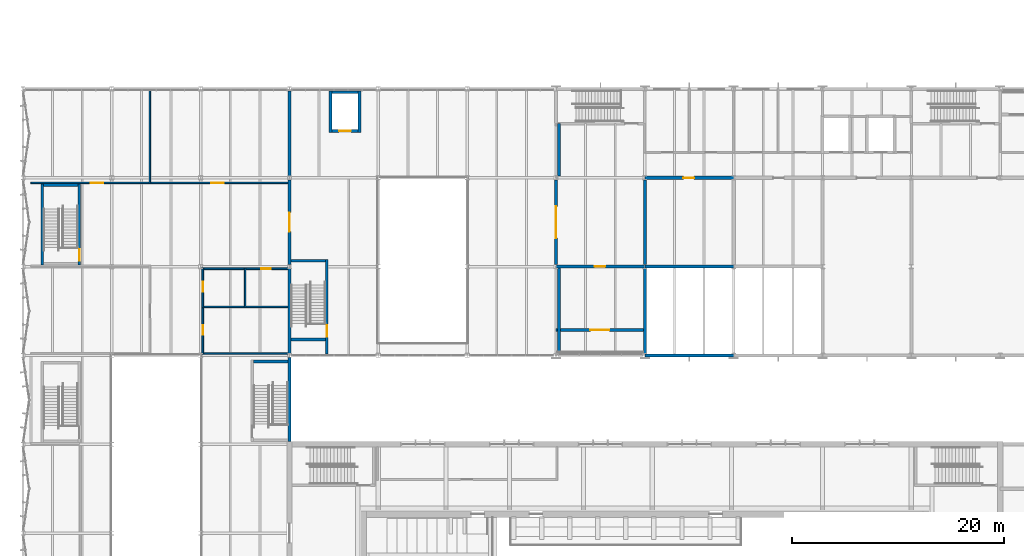
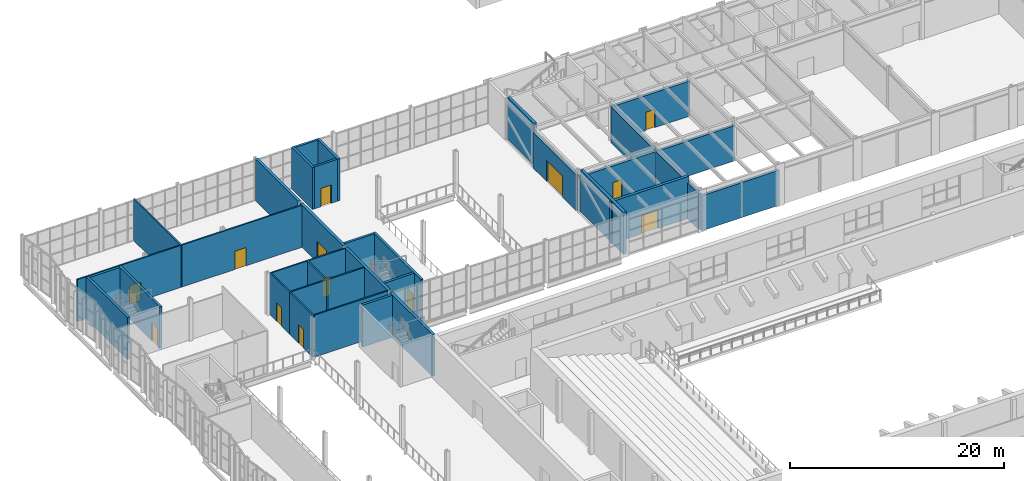
# One storey, part 79 of 127: 35 walls, 13 doors, 13 openings.
"""IFC4 building model written with IfcOpenShell, lengths in metres."""

from ifc_helpers import new_model, si_unit, direction, frame, frame_2d, origin, place, context, subcontext, project, spatial, rectangle, extrude, material, layer, layer_set, type_object, element, fill, save


model = new_model("IFC4")

# Units and contexts
model_context = context("Model", 3, precision=1e-05, world=origin(), true_north=direction((0.0, 1.0)))
body_context = subcontext(model_context, "Body", "Model", "MODEL_VIEW")
ifc_project = project(units=[si_unit("LENGTHUNIT", "METRE"), si_unit("AREAUNIT", "SQUARE_METRE"), si_unit("VOLUMEUNIT", "CUBIC_METRE"), si_unit("PLANEANGLEUNIT", "RADIAN"), si_unit("MASSUNIT", "GRAM", prefix="KILO")], contexts=[model_context])

# Site, building, storey
site_placement = place(None, origin())
site = spatial("IfcSite", under=ifc_project, at=site_placement, CompositionType="ELEMENT")
building_placement = place(site_placement, origin())
building = spatial("IfcBuilding", under=site, at=building_placement, Name="Ljudholm Concert House", CompositionType="ELEMENT")
storey_placement = place(building_placement, frame((0.0, 0.0, 5.39990234375)))
storey = spatial("IfcBuildingStorey", under=building, at=storey_placement, Name="L01", CompositionType="ELEMENT", Elevation=5.39990234375)

# Walls
ifc_material_1 = material(Name="Double gypsum board on staggered studs")
ifc_layer_1 = layer(ifc_material_1, 0.300048828125)
ifc_layer_set_1 = layer_set([ifc_layer_1], Name="Double gypsum board on staggered studs")
wall_type_1 = type_object("IfcWallType", Name="ACOUSTIC PARTITION 300", PredefinedType="PARTITIONING", material=ifc_layer_set_1)
wall_1_placement = place(storey_placement, frame((62.800048828125, 113.38671875, 0.0), z_axis=(0.0, 0.0, 1.0), x_axis=(0.0, 1.0, 0.0)))
element("IfcWall", 1, at=wall_1_placement, inside=storey, type_object=wall_type_1, Name="Acoustic partition", PredefinedType="PARTITIONING", context=body_context, shape_type="SweptSolid", body=[
    extrude(rectangle(XDim=8.026611328125, YDim=0.300048828125, at=frame_2d((4.01318359375, 0.0))), origin(), (0.0, 0.0, 1.0), 4.086669921875),
])
wall_2_placement = place(storey_placement, frame((62.800048828125, 104.986572265625, 0.0), z_axis=(0.0, 0.0, 1.0), x_axis=(0.0, 1.0, 0.0)))
element("IfcWall", 2, at=wall_2_placement, inside=storey, type_object=wall_type_1, Name="Acoustic partition", PredefinedType="PARTITIONING", context=body_context, shape_type="SweptSolid", body=[
    extrude(rectangle(XDim=8.02685546875, YDim=0.300048828125, at=frame_2d((4.013427734375, 0.0))), origin(), (0.0, 0.0, 1.0), 4.086669921875),
])

# Wall, opening, door
wall_3_placement = place(storey_placement, frame((54.408203125, 113.199951171875, 0.0), z_axis=(0.0, 0.0, 1.0), x_axis=(1.0, 0.0, 0.0)))
wall_3 = element("IfcWall", 3, at=wall_3_placement, inside=storey, type_object=wall_type_1, Name="Acoustic partition", PredefinedType="PARTITIONING", context=body_context, shape_type="SweptSolid", body=[
    extrude(rectangle(XDim=8.39990234375, YDim=0.300048828125, at=frame_2d((4.199951171875, 0.0))), origin(), (0.0, 0.0, 1.0), 4.008056640625),
])
opening_1_placement = place(wall_3_placement, frame((3.641845703125, 0.0, 0.0)))
opening_1 = element("IfcOpeningElement", 4, at=opening_1_placement, cuts=wall_3, Name="Opening D-R01-008", PredefinedType="OPENING", context=body_context, shape_type="SweptSolid", body=[
    extrude(rectangle(XDim=1.0, YDim=2.10009765625, at=frame_2d((0.5, 1.050048828125))), frame((0.0, 0.159912109375, 0.0), z_axis=(0.0, -1.0, 0.0), x_axis=(1.0, 0.0, 0.0)), (0.0, 0.0, 1.0), 0.320068359375),
])
ifc_material_2 = material(Name="Hollow metal door in steel frame", Category="steel")
door_type_1 = type_object("IfcDoorType", Name="SWING DOOR 1000x2100", OperationType="SINGLE_SWING_LEFT", PredefinedType="DOOR", material=ifc_material_2)
door_1_placement = place(opening_1_placement, frame((1.0, 0.0, 0.0), z_axis=(0.0, 0.0, 1.0), x_axis=(-1.0, 0.0, 0.0)))
door_1 = element("IfcDoor", 5, at=door_1_placement, inside=storey, type_object=door_type_1, Name="Door", OperationType="SINGLE_SWING_RIGHT", OverallHeight=2.10009765625, OverallWidth=1.0, PredefinedType="DOOR", context=body_context, shape_type="SweptSolid", body=[
    extrude(rectangle(XDim=1.0, YDim=2.10009765625, at=frame_2d((0.5, 1.050048828125))), frame((0.0, 0.02490234375, 0.0), z_axis=(0.0, -1.0, 0.0), x_axis=(1.0, 0.0, 0.0)), (0.0, 0.0, 1.0), 0.050048828125),
])
fill(opening_1, door_1)

# Wall
wall_4_placement = place(storey_placement, frame((62.791748046875, 113.199951171875, 0.0), z_axis=(0.0, 0.0, 1.0), x_axis=(1.0, 0.0, 0.0)))
element("IfcWall", 6, at=wall_4_placement, inside=storey, type_object=wall_type_1, Name="Acoustic partition", PredefinedType="PARTITIONING", context=body_context, shape_type="SweptSolid", body=[
    extrude(rectangle(XDim=8.41650390625, YDim=0.300048828125, at=frame_2d((4.208251953125, 0.0))), origin(), (0.0, 0.0, 1.0), 4.008056640625),
])

# Wall, opening, door
wall_5_placement = place(storey_placement, frame((62.80810546875, 121.60009765625, 0.0), z_axis=(0.0, 0.0, 1.0), x_axis=(1.0, 0.0, 0.0)))
wall_5 = element("IfcWall", 7, at=wall_5_placement, inside=storey, type_object=wall_type_1, Name="Acoustic partition", PredefinedType="PARTITIONING", context=body_context, shape_type="SweptSolid", body=[
    extrude(rectangle(XDim=8.400146484375, YDim=0.300048828125, at=frame_2d((4.2001953125, 0.0))), origin(), (0.0, 0.0, 1.0), 4.008056640625),
])
opening_2_placement = place(wall_5_placement, frame((3.641845703125, 0.0, 0.0)))
opening_2 = element("IfcOpeningElement", 8, at=opening_2_placement, cuts=wall_5, Name="Opening D-R01-009", PredefinedType="OPENING", context=body_context, shape_type="SweptSolid", body=[
    extrude(rectangle(XDim=1.0, YDim=2.10009765625, at=frame_2d((0.5, 1.050048828125))), frame((0.0, 0.159912109375, 0.0), z_axis=(0.0, -1.0, 0.0), x_axis=(1.0, 0.0, 0.0)), (0.0, 0.0, 1.0), 0.320068359375),
])
door_2_placement = place(opening_2_placement, frame((1.0, 0.0, 0.0), z_axis=(0.0, 0.0, 1.0), x_axis=(-1.0, 0.0, 0.0)))
door_2 = element("IfcDoor", 9, at=door_2_placement, inside=storey, type_object=door_type_1, Name="Door", OperationType="SINGLE_SWING_RIGHT", OverallHeight=2.10009765625, OverallWidth=1.0, PredefinedType="DOOR", context=body_context, shape_type="SweptSolid", body=[
    extrude(rectangle(XDim=1.0, YDim=2.10009765625, at=frame_2d((0.5, 1.050048828125))), frame((0.0, 0.02490234375, 0.0), z_axis=(0.0, -1.0, 0.0), x_axis=(1.0, 0.0, 0.0)), (0.0, 0.0, 1.0), 0.050048828125),
])
fill(opening_2, door_2)

ifc_material_3 = material(Name="Gypsum board on steel studs", Category="steel")
ifc_layer_2 = layer(ifc_material_3, 0.14990234375)
ifc_layer_set_2 = layer_set([ifc_layer_2], Name="Gypsum board on steel studs")
wall_type_2 = type_object("IfcWallType", Name="GYPSUM PARTITION 150", PredefinedType="PARTITIONING", material=ifc_layer_set_2)
wall_6_placement = place(storey_placement, frame((21.0, 104.925048828125, 0.0), z_axis=(0.0, 0.0, 1.0), x_axis=(0.0, 1.0, 0.0)))
wall_6 = element("IfcWall", 10, at=wall_6_placement, inside=storey, type_object=wall_type_2, Name="Room wall", PredefinedType="PARTITIONING", context=body_context, shape_type="SweptSolid", body=[
    extrude(rectangle(XDim=4.550048828125, YDim=0.14990234375, at=frame_2d((2.27490234375, 0.0))), origin(), (0.0, 0.0, 1.0), 4.800048828125),
])
opening_3_placement = place(wall_6_placement, frame((1.824951171875, 0.0, 0.0)))
opening_3 = element("IfcOpeningElement", 11, at=opening_3_placement, cuts=wall_6, Name="Opening D-S01-014", PredefinedType="OPENING", context=body_context, shape_type="SweptSolid", body=[
    extrude(rectangle(XDim=0.89990234375, YDim=2.10009765625, at=frame_2d((0.449951171875, 1.050048828125))), frame((0.0, 0.0849609375, 0.0), z_axis=(0.0, -1.0, 0.0), x_axis=(1.0, 0.0, 0.0)), (0.0, 0.0, 1.0), 0.169921875),
])
ifc_material_4 = material(Name="Hollow metal door in steel frame", Category="steel")
door_type_2 = type_object("IfcDoorType", Name="SWING DOOR 900x2100", OperationType="SINGLE_SWING_LEFT", PredefinedType="DOOR", material=ifc_material_4)
door_3_placement = place(opening_3_placement, frame((0.89990234375, 0.0, 0.0), z_axis=(0.0, 0.0, 1.0), x_axis=(-1.0, 0.0, 0.0)))
door_3 = element("IfcDoor", 12, at=door_3_placement, inside=storey, type_object=door_type_2, Name="Toilets door", OperationType="SINGLE_SWING_LEFT", OverallHeight=2.10009765625, OverallWidth=0.89990234375, PredefinedType="DOOR", context=body_context, shape_type="SweptSolid", body=[
    extrude(rectangle(XDim=0.89990234375, YDim=2.10009765625, at=frame_2d((0.449951171875, 1.050048828125))), frame((0.0, 0.02490234375, 0.0), z_axis=(0.0, -1.0, 0.0), x_axis=(1.0, 0.0, 0.0)), (0.0, 0.0, 1.0), 0.050048828125),
])
fill(opening_3, door_3)

# Walls
for number, where, z_axis, x_axis, name in (
    (13, (21.074951171875, 105.0, 0.0), (0.0, 0.0, 1.0), (1.0, 0.0, 0.0), "Room wall"),
    (14, (21.074951171875, 109.39990234375, 0.0), (0.0, 0.0, 1.0), (1.0, 0.0, 0.0), "Room wall"),
):
    element("IfcWall", number, at=place(storey_placement, frame(where, z_axis=z_axis, x_axis=x_axis)), inside=storey, type_object=wall_type_2, Name=name, PredefinedType="PARTITIONING", context=body_context, shape_type="SweptSolid", body=[
        extrude(rectangle(XDim=7.97509765625, YDim=0.14990234375, at=frame_2d((3.987548828125, 0.0))), origin(), (0.0, 0.0, 1.0), 4.800048828125),
    ])

# Wall, opening, door
wall_7_placement = place(storey_placement, frame((21.0, 109.324951171875, 0.0), z_axis=(0.0, 0.0, 1.0), x_axis=(0.0, 1.0, 0.0)))
wall_7 = element("IfcWall", 15, at=wall_7_placement, inside=storey, type_object=wall_type_2, Name="Room wall", PredefinedType="PARTITIONING", context=body_context, shape_type="SweptSolid", body=[
    extrude(rectangle(XDim=3.75, YDim=0.14990234375, at=frame_2d((1.875, 0.0))), origin(), (0.0, 0.0, 1.0), 4.800048828125),
])
opening_4_placement = place(wall_7_placement, frame((1.5, 0.0, 0.0)))
opening_4 = element("IfcOpeningElement", 16, at=opening_4_placement, cuts=wall_7, Name="Opening D-S01-015", PredefinedType="OPENING", context=body_context, shape_type="SweptSolid", body=[
    extrude(rectangle(XDim=0.949951171875, YDim=2.10009765625, at=frame_2d((0.47509765625, 1.050048828125))), frame((0.0, 0.0849609375, 0.0), z_axis=(0.0, -1.0, 0.0), x_axis=(1.0, 0.0, 0.0)), (0.0, 0.0, 1.0), 0.169921875),
])
ifc_material_5 = material(Name="Hollow metal door in steel frame", Category="steel")
door_type_3 = type_object("IfcDoorType", Name="SWING DOOR 950x2100", OperationType="SINGLE_SWING_LEFT", PredefinedType="DOOR", material=ifc_material_5)
door_4_placement = place(opening_4_placement, frame((0.949951171875, 0.0, 0.0), z_axis=(0.0, 0.0, 1.0), x_axis=(-1.0, 0.0, 0.0)))
door_4 = element("IfcDoor", 17, at=door_4_placement, inside=storey, type_object=door_type_3, Name="Accessible WC door", OperationType="SINGLE_SWING_LEFT", OverallHeight=2.10009765625, OverallWidth=0.949951171875, PredefinedType="DOOR", context=body_context, shape_type="SweptSolid", body=[
    extrude(rectangle(XDim=0.949951171875, YDim=2.10009765625, at=frame_2d((0.47509765625, 1.050048828125))), frame((0.0, 0.02490234375, 0.0), z_axis=(0.0, -1.0, 0.0), x_axis=(1.0, 0.0, 0.0)), (0.0, 0.0, 1.0), 0.050048828125),
])
fill(opening_4, door_4)

# Walls
wall_8_placement = place(storey_placement, frame((25.0, 109.324951171875, 0.0), z_axis=(0.0, 0.0, 1.0), x_axis=(0.0, 1.0, 0.0)))
element("IfcWall", 18, at=wall_8_placement, inside=storey, type_object=wall_type_2, Name="Room wall", PredefinedType="PARTITIONING", context=body_context, shape_type="SweptSolid", body=[
    extrude(rectangle(XDim=3.75, YDim=0.14990234375, at=frame_2d((1.875, 0.0))), origin(), (0.0, 0.0, 1.0), 4.800048828125),
])
wall_9_placement = place(storey_placement, frame((21.074951171875, 113.0, 0.0), z_axis=(0.0, 0.0, 1.0), x_axis=(1.0, 0.0, 0.0)))
element("IfcWall", 19, at=wall_9_placement, inside=storey, type_object=wall_type_2, Name="Room wall", PredefinedType="PARTITIONING", context=body_context, shape_type="SweptSolid", body=[
    extrude(rectangle(XDim=3.85009765625, YDim=0.14990234375, at=frame_2d((1.925048828125, 0.0))), origin(), (0.0, 0.0, 1.0), 4.800048828125),
])

# Wall, opening, door
wall_10_placement = place(storey_placement, frame((25.074951171875, 113.0, 0.0), z_axis=(0.0, 0.0, 1.0), x_axis=(1.0, 0.0, 0.0)))
wall_10 = element("IfcWall", 20, at=wall_10_placement, inside=storey, type_object=wall_type_2, Name="Room wall", PredefinedType="PARTITIONING", context=body_context, shape_type="SweptSolid", body=[
    extrude(rectangle(XDim=3.97509765625, YDim=0.14990234375, at=frame_2d((1.987548828125, 0.0))), origin(), (0.0, 0.0, 1.0), 4.800048828125),
])
opening_5_placement = place(wall_10_placement, frame((1.47509765625, 0.0, 0.0)))
opening_5 = element("IfcOpeningElement", 21, at=opening_5_placement, cuts=wall_10, Name="Opening D-S01-016", PredefinedType="OPENING", context=body_context, shape_type="SweptSolid", body=[
    extrude(rectangle(XDim=0.89990234375, YDim=2.10009765625, at=frame_2d((0.449951171875, 1.050048828125))), frame((0.0, 0.0849609375, 0.0), z_axis=(0.0, -1.0, 0.0), x_axis=(1.0, 0.0, 0.0)), (0.0, 0.0, 1.0), 0.169921875),
])
door_5_placement = place(opening_5_placement, frame((0.89990234375, 0.0, 0.0), z_axis=(0.0, 0.0, 1.0), x_axis=(-1.0, 0.0, 0.0)))
door_5 = element("IfcDoor", 22, at=door_5_placement, inside=storey, type_object=door_type_2, Name="Cleaner's Store door", OperationType="SINGLE_SWING_RIGHT", OverallHeight=2.10009765625, OverallWidth=0.89990234375, PredefinedType="DOOR", context=body_context, shape_type="SweptSolid", body=[
    extrude(rectangle(XDim=0.89990234375, YDim=2.10009765625, at=frame_2d((0.449951171875, 1.050048828125))), frame((0.0, 0.02490234375, 0.0), z_axis=(0.0, -1.0, 0.0), x_axis=(1.0, 0.0, 0.0)), (0.0, 0.0, 1.0), 0.050048828125),
])
fill(opening_5, door_5)

# Wall
wall_11_placement = place(storey_placement, frame((16.0, 121.050048828125, 0.0), z_axis=(0.0, 0.0, 1.0), x_axis=(0.0, 1.0, 0.0)))
element("IfcWall", 23, at=wall_11_placement, inside=storey, type_object=wall_type_2, Name="Room wall", PredefinedType="PARTITIONING", context=body_context, shape_type="SweptSolid", body=[
    extrude(rectangle(XDim=8.824951171875, YDim=0.14990234375, at=frame_2d((4.41259765625, 0.0))), origin(), (0.0, 0.0, 1.0), 4.800048828125),
])

# Wall, opening, door
wall_12_placement = place(storey_placement, frame((4.75, 121.125, 0.0), z_axis=(0.0, 0.0, 1.0), x_axis=(1.0, 0.0, 0.0)))
wall_12 = element("IfcWall", 24, at=wall_12_placement, inside=storey, type_object=wall_type_2, Name="Room wall", PredefinedType="PARTITIONING", context=body_context, shape_type="SweptSolid", body=[
    extrude(rectangle(XDim=11.175048828125, YDim=0.14990234375, at=frame_2d((5.58740234375, 0.0))), origin(), (0.0, 0.0, 1.0), 4.800048828125),
])
opening_6_placement = place(wall_12_placement, frame((5.64990234375, 0.0, 0.0)))
opening_6 = element("IfcOpeningElement", 25, at=opening_6_placement, cuts=wall_12, Name="Opening D-S01-017", PredefinedType="OPENING", context=body_context, shape_type="SweptSolid", body=[
    extrude(rectangle(XDim=1.199951171875, YDim=2.10009765625, at=frame_2d((0.60009765625, 1.050048828125))), frame((0.0, 0.0849609375, 0.0), z_axis=(0.0, -1.0, 0.0), x_axis=(1.0, 0.0, 0.0)), (0.0, 0.0, 1.0), 0.169921875),
])
ifc_material_6 = material(Name="Hollow metal door in steel frame", Category="steel")
door_type_4 = type_object("IfcDoorType", Name="SWING DOOR 1200x2100", OperationType="SINGLE_SWING_LEFT", PredefinedType="DOOR", material=ifc_material_6)
door_6_placement = place(opening_6_placement, frame((1.199951171875, 0.0, 0.0), z_axis=(0.0, 0.0, 1.0), x_axis=(-1.0, 0.0, 0.0)))
door_6 = element("IfcDoor", 26, at=door_6_placement, inside=storey, type_object=door_type_4, Name="Foyer Bar door", OperationType="SINGLE_SWING_RIGHT", OverallHeight=2.10009765625, OverallWidth=1.199951171875, PredefinedType="DOOR", context=body_context, shape_type="SweptSolid", body=[
    extrude(rectangle(XDim=1.199951171875, YDim=2.10009765625, at=frame_2d((0.60009765625, 1.050048828125))), frame((0.0, 0.02490234375, 0.0), z_axis=(0.0, -1.0, 0.0), x_axis=(1.0, 0.0, 0.0)), (0.0, 0.0, 1.0), 0.050048828125),
])
fill(opening_6, door_6)

wall_13_placement = place(storey_placement, frame((16.074951171875, 121.125, 0.0), z_axis=(0.0, 0.0, 1.0), x_axis=(1.0, 0.0, 0.0)))
wall_13 = element("IfcWall", 27, at=wall_13_placement, inside=storey, type_object=wall_type_2, Name="Room wall", PredefinedType="PARTITIONING", context=body_context, shape_type="SweptSolid", body=[
    extrude(rectangle(XDim=12.97509765625, YDim=0.14990234375, at=frame_2d((6.487548828125, 0.0))), origin(), (0.0, 0.0, 1.0), 4.800048828125),
])
opening_7_placement = place(wall_13_placement, frame((5.72509765625, 0.0, 0.0)))
opening_7 = element("IfcOpeningElement", 28, at=opening_7_placement, cuts=wall_13, Name="Opening D-S01-018", PredefinedType="OPENING", context=body_context, shape_type="SweptSolid", body=[
    extrude(rectangle(XDim=1.199951171875, YDim=2.10009765625, at=frame_2d((0.60009765625, 1.050048828125))), frame((0.0, 0.0849609375, 0.0), z_axis=(0.0, -1.0, 0.0), x_axis=(1.0, 0.0, 0.0)), (0.0, 0.0, 1.0), 0.169921875),
])
door_7_placement = place(opening_7_placement, origin())
door_7 = element("IfcDoor", 29, at=door_7_placement, inside=storey, type_object=door_type_4, Name="Community Room door", OperationType="SINGLE_SWING_LEFT", OverallHeight=2.10009765625, OverallWidth=1.199951171875, PredefinedType="DOOR", context=body_context, shape_type="SweptSolid", body=[
    extrude(rectangle(XDim=1.199951171875, YDim=2.10009765625, at=frame_2d((0.60009765625, 1.050048828125))), frame((0.0, 0.02490234375, 0.0), z_axis=(0.0, -1.0, 0.0), x_axis=(1.0, 0.0, 0.0)), (0.0, 0.0, 1.0), 0.050048828125),
])
fill(opening_7, door_7)

# Wall
ifc_material_7 = material(Name="Concrete masonry unit f'm 13.8 MPa", Category="masonry")
ifc_layer_3 = layer(ifc_material_7, 0.300048828125)
ifc_layer_set_3 = layer_set([ifc_layer_3], Name="Concrete masonry unit f'm 13.8 MPa")
wall_type_3 = type_object("IfcWallType", Name="MASONRY WALL 300", PredefinedType="SOLIDWALL", material=ifc_layer_set_3)
wall_14_placement = place(storey_placement, frame((54.6796875, 104.986572265625, 0.0), z_axis=(0.0, 0.0, 1.0), x_axis=(0.0, 1.0, 0.0)))
element("IfcWall", 30, at=wall_14_placement, inside=storey, type_object=wall_type_3, Name="Separation wall (braced bay)", PredefinedType="SOLIDWALL", context=body_context, shape_type="SweptSolid", body=[
    extrude(rectangle(XDim=8.0634765625, YDim=0.300048828125, at=frame_2d((4.03173828125, 0.0))), origin(), (0.0, 0.0, 1.0), 4.800048828125),
])

# Wall, opening, door
wall_15_placement = place(storey_placement, frame((54.39990234375, 113.38671875, 0.0), z_axis=(0.0, 0.0, 1.0), x_axis=(0.0, 1.0, 0.0)))
wall_15 = element("IfcWall", 31, at=wall_15_placement, inside=storey, type_object=wall_type_3, Name="Separation wall", PredefinedType="SOLIDWALL", context=body_context, shape_type="SweptSolid", body=[
    extrude(rectangle(XDim=8.026611328125, YDim=0.300048828125, at=frame_2d((4.01318359375, 0.0))), origin(), (0.0, 0.0, 1.0), 4.086669921875),
])
opening_8_placement = place(wall_15_placement, frame((2.513427734375, 0.0, 0.0)))
opening_8 = element("IfcOpeningElement", 32, at=opening_8_placement, cuts=wall_15, Name="Opening D-R01-023", PredefinedType="OPENING", context=body_context, shape_type="SweptSolid", body=[
    extrude(rectangle(XDim=3.0, YDim=2.39990234375, at=frame_2d((1.5, 1.199951171875))), frame((0.0, 0.159912109375, 0.0), z_axis=(0.0, -1.0, 0.0), x_axis=(1.0, 0.0, 0.0)), (0.0, 0.0, 1.0), 0.320068359375),
])
ifc_material_8 = material(Name="Hollow metal door in steel frame", Category="steel")
door_type_5 = type_object("IfcDoorType", Name="DOUBLE DOOR 3000x2400", OperationType="DOUBLE_DOOR_SINGLE_SWING", PredefinedType="DOOR", material=ifc_material_8)
door_8_placement = place(opening_8_placement, frame((3.0, 0.0, 0.0), z_axis=(0.0, 0.0, 1.0), x_axis=(-1.0, 0.0, 0.0)))
door_8 = element("IfcDoor", 33, at=door_8_placement, inside=storey, type_object=door_type_5, Name="Door to the winter garden", OperationType="DOUBLE_DOOR_SINGLE_SWING", OverallHeight=2.39990234375, OverallWidth=3.0, PredefinedType="DOOR", context=body_context, shape_type="SweptSolid", body=[
    extrude(rectangle(XDim=3.0, YDim=2.39990234375, at=frame_2d((1.5, 1.199951171875))), frame((0.0, 0.02490234375, 0.0), z_axis=(0.0, -1.0, 0.0), x_axis=(1.0, 0.0, 0.0)), (0.0, 0.0, 1.0), 0.050048828125),
])
fill(opening_8, door_8)

# Walls
wall_16_placement = place(storey_placement, frame((54.6796875, 121.78662109375, 0.0), z_axis=(0.0, 0.0, 1.0), x_axis=(0.0, 1.0, 0.0)))
element("IfcWall", 34, at=wall_16_placement, inside=storey, type_object=wall_type_3, Name="Separation wall (braced bay)", PredefinedType="SOLIDWALL", context=body_context, shape_type="SweptSolid", body=[
    extrude(rectangle(XDim=4.9384765625, YDim=0.300048828125, at=frame_2d((2.46923828125, 0.0))), origin(), (0.0, 0.0, 1.0), 4.800048828125),
])
ifc_material_9 = material(Name="Precast concrete 5,000 psi", Category="concrete")
ifc_layer_4 = layer(ifc_material_9, 0.300048828125)
ifc_layer_set_4 = layer_set([ifc_layer_4], Name="Precast concrete 5,000 psi")
wall_type_4 = type_object("IfcWallType", Name="PRECAST PANEL WALL 300", PredefinedType="SOLIDWALL", material=ifc_layer_set_4)
wall_17_placement = place(storey_placement, frame((62.80810546875, 104.800048828125, 0.0), z_axis=(0.0, 0.0, 1.0), x_axis=(1.0, 0.0, 0.0)))
element("IfcWall", 35, at=wall_17_placement, inside=storey, type_object=wall_type_4, Name="Facade wall", PredefinedType="SOLIDWALL", context=body_context, shape_type="SweptSolid", body=[
    extrude(rectangle(XDim=8.400146484375, YDim=0.300048828125, at=frame_2d((4.2001953125, 0.0))), origin(), (0.0, 0.0, 1.0), 4.008056640625),
])

# Wall, opening, door
wall_18_placement = place(storey_placement, frame((54.39990234375, 107.199951171875, 0.0), z_axis=(0.0, 0.0, 1.0), x_axis=(1.0, 0.0, 0.0)))
wall_18 = element("IfcWall", 36, at=wall_18_placement, inside=storey, type_object=wall_type_4, Name="Loggia wall", PredefinedType="SOLIDWALL", context=body_context, shape_type="SweptSolid", body=[
    extrude(rectangle(XDim=8.400146484375, YDim=0.300048828125, at=frame_2d((4.2001953125, 0.0))), origin(), (0.0, 0.0, 1.0), 4.800048828125),
])
opening_9_placement = place(wall_18_placement, frame((3.25, 0.0, 0.0)))
opening_9 = element("IfcOpeningElement", 37, at=opening_9_placement, cuts=wall_18, Name="Opening D-R01-020", PredefinedType="OPENING", context=body_context, shape_type="SweptSolid", body=[
    extrude(rectangle(XDim=1.800048828125, YDim=2.10009765625, at=frame_2d((0.89990234375, 1.050048828125))), frame((0.0, 0.159912109375, 0.0), z_axis=(0.0, -1.0, 0.0), x_axis=(1.0, 0.0, 0.0)), (0.0, 0.0, 1.0), 0.320068359375),
])
ifc_material_10 = material(Name="Hollow metal door in steel frame", Category="steel")
door_type_6 = type_object("IfcDoorType", Name="DOUBLE DOOR 1800x2100 EXTERNAL", OperationType="DOUBLE_DOOR_SINGLE_SWING", PredefinedType="DOOR", material=ifc_material_10)
door_9_placement = place(opening_9_placement, frame((1.800048828125, 0.0, 0.0), z_axis=(0.0, 0.0, 1.0), x_axis=(-1.0, 0.0, 0.0)))
door_9 = element("IfcDoor", 38, at=door_9_placement, inside=storey, type_object=door_type_6, Name="Loggia door", OperationType="DOUBLE_DOOR_SINGLE_SWING", OverallHeight=2.10009765625, OverallWidth=1.800048828125, PredefinedType="DOOR", context=body_context, shape_type="SweptSolid", body=[
    extrude(rectangle(XDim=1.800048828125, YDim=2.10009765625, at=frame_2d((0.89990234375, 1.050048828125))), frame((0.0, 0.02490234375, 0.0), z_axis=(0.0, -1.0, 0.0), x_axis=(1.0, 0.0, 0.0)), (0.0, 0.0, 1.0), 0.050048828125),
])
fill(opening_9, door_9)

# Walls
ifc_material_11 = material(Name="Concrete 6,500 psi", Category="concrete")
ifc_layer_5 = layer(ifc_material_11, 0.25)
ifc_layer_set_5 = layer_set([ifc_layer_5], Name="Concrete 6,500 psi")
wall_type_5 = type_object("IfcWallType", Name="RC CORE WALL 250", PredefinedType="SHEAR", material=ifc_layer_set_5)
wall_19_placement = place(storey_placement, frame((25.800048828125, 104.22509765625, 0.0), z_axis=(0.0, 0.0, 1.0), x_axis=(1.0, 0.0, 0.0)))
element("IfcWall", 39, at=wall_19_placement, inside=storey, type_object=wall_type_5, Name="Stair enclosure wall", PredefinedType="SHEAR", context=body_context, shape_type="SweptSolid", body=[
    extrude(rectangle(XDim=3.25, YDim=0.25, at=frame_2d((1.625, 0.0))), origin(), (0.0, 0.0, 1.0), 4.800048828125),
])
wall_20_placement = place(storey_placement, frame((5.824951171875, 113.35009765625, 0.0), z_axis=(0.0, 0.0, 1.0), x_axis=(0.0, 1.0, 0.0)))
element("IfcWall", 40, at=wall_20_placement, inside=storey, type_object=wall_type_5, Name="Stair enclosure wall", PredefinedType="SHEAR", context=body_context, shape_type="SweptSolid", body=[
    extrude(rectangle(XDim=7.699951171875, YDim=0.25, at=frame_2d((3.85009765625, 0.0))), origin(), (0.0, 0.0, 1.0), 4.800048828125),
])

# Wall, opening, door
wall_21_placement = place(storey_placement, frame((9.324951171875, 113.35009765625, 0.0), z_axis=(0.0, 0.0, 1.0), x_axis=(0.0, 1.0, 0.0)))
wall_21 = element("IfcWall", 41, at=wall_21_placement, inside=storey, type_object=wall_type_5, Name="Stair enclosure wall", PredefinedType="SHEAR", context=body_context, shape_type="SweptSolid", body=[
    extrude(rectangle(XDim=7.699951171875, YDim=0.25, at=frame_2d((3.85009765625, 0.0))), origin(), (0.0, 0.0, 1.0), 4.800048828125),
])
opening_10_placement = place(wall_21_placement, frame((0.39990234375, 0.0, 0.0)))
opening_10 = element("IfcOpeningElement", 42, at=opening_10_placement, cuts=wall_21, Name="Opening D-S01-007", PredefinedType="OPENING", context=body_context, shape_type="SweptSolid", body=[
    extrude(rectangle(XDim=1.10009765625, YDim=2.10009765625, at=frame_2d((0.550048828125, 1.050048828125))), frame((0.0, 0.135009765625, 0.0), z_axis=(0.0, -1.0, 0.0), x_axis=(1.0, 0.0, 0.0)), (0.0, 0.0, 1.0), 0.27001953125),
])
ifc_material_12 = material(Name="Hollow metal door in steel frame", Category="steel")
door_type_7 = type_object("IfcDoorType", Name="SWING DOOR 1100x2100", OperationType="SINGLE_SWING_LEFT", PredefinedType="DOOR", material=ifc_material_12)
door_10_placement = place(opening_10_placement, origin())
door_10 = element("IfcDoor", 43, at=door_10_placement, inside=storey, type_object=door_type_7, Name="Stair door", OperationType="SINGLE_SWING_LEFT", OverallHeight=2.10009765625, OverallWidth=1.10009765625, PredefinedType="DOOR", context=body_context, shape_type="SweptSolid", body=[
    extrude(rectangle(XDim=1.10009765625, YDim=2.10009765625, at=frame_2d((0.550048828125, 1.050048828125))), frame((0.0, 0.02490234375, 0.0), z_axis=(0.0, -1.0, 0.0), x_axis=(1.0, 0.0, 0.0)), (0.0, 0.0, 1.0), 0.050048828125),
])
fill(opening_10, door_10)

# Wall
wall_22_placement = place(storey_placement, frame((5.949951171875, 120.925048828125, 0.0), z_axis=(0.0, 0.0, 1.0), x_axis=(1.0, 0.0, 0.0)))
element("IfcWall", 44, at=wall_22_placement, inside=storey, type_object=wall_type_5, Name="Stair enclosure wall", PredefinedType="SHEAR", context=body_context, shape_type="SweptSolid", body=[
    extrude(rectangle(XDim=3.25, YDim=0.25, at=frame_2d((1.625, 0.0))), origin(), (0.0, 0.0, 1.0), 4.800048828125),
])

# Wall, opening, door
wall_23_placement = place(storey_placement, frame((32.72509765625, 104.949951171875, 0.0), z_axis=(0.0, 0.0, 1.0), x_axis=(0.0, 1.0, 0.0)))
wall_23 = element("IfcWall", 45, at=wall_23_placement, inside=storey, type_object=wall_type_5, Name="Stair enclosure wall", PredefinedType="SHEAR", context=body_context, shape_type="SweptSolid", body=[
    extrude(rectangle(XDim=8.929931640625, YDim=0.25, at=frame_2d((4.46484375, 0.0))), origin(), (0.0, 0.0, 1.0), 4.800048828125),
])
opening_11_placement = place(wall_23_placement, frame((1.6298828125, 0.0, 0.0)))
opening_11 = element("IfcOpeningElement", 46, at=opening_11_placement, cuts=wall_23, Name="Opening D-G01-001", PredefinedType="OPENING", context=body_context, shape_type="SweptSolid", body=[
    extrude(rectangle(XDim=1.10009765625, YDim=2.10009765625, at=frame_2d((0.550048828125, 1.050048828125))), frame((0.0, 0.135009765625, 0.0), z_axis=(0.0, -1.0, 0.0), x_axis=(1.0, 0.0, 0.0)), (0.0, 0.0, 1.0), 0.27001953125),
])
door_11_placement = place(opening_11_placement, origin())
door_11 = element("IfcDoor", 47, at=door_11_placement, inside=storey, type_object=door_type_7, Name="Stair door", OperationType="SINGLE_SWING_LEFT", OverallHeight=2.10009765625, OverallWidth=1.10009765625, PredefinedType="DOOR", context=body_context, shape_type="SweptSolid", body=[
    extrude(rectangle(XDim=1.10009765625, YDim=2.10009765625, at=frame_2d((0.550048828125, 1.050048828125))), frame((0.0, 0.02490234375, 0.0), z_axis=(0.0, -1.0, 0.0), x_axis=(1.0, 0.0, 0.0)), (0.0, 0.0, 1.0), 0.050048828125),
])
fill(opening_11, door_11)

# Walls
for number, where, z_axis, x_axis, name in (
    (48, (29.35009765625, 113.7548828125, 0.0), (0.0, 0.0, 1.0), (1.0, 0.0, 0.0), "Stair enclosure wall"),
    (49, (29.35009765625, 106.304931640625, 0.0), (0.0, 0.0, 1.0), (1.0, 0.0, 0.0), "Stair enclosure wall"),
):
    element("IfcWall", number, at=place(storey_placement, frame(where, z_axis=z_axis, x_axis=x_axis)), inside=storey, type_object=wall_type_5, Name=name, PredefinedType="SHEAR", context=body_context, shape_type="SweptSolid", body=[
        extrude(rectangle(XDim=3.25, YDim=0.25, at=frame_2d((1.625, 0.0))), origin(), (0.0, 0.0, 1.0), 4.800048828125),
    ])
ifc_material_13 = material(Name="Concrete 6,500 psi", Category="concrete")
ifc_layer_6 = layer(ifc_material_13, 0.25)
ifc_layer_set_6 = layer_set([ifc_layer_6], Name="Concrete 6,500 psi")
wall_type_6 = type_object("IfcWallType", Name="RC WALL 250", PredefinedType="SOLIDWALL", material=ifc_layer_set_6)
for number, where, z_axis, x_axis, name in (
    (50, (33.074951171875, 125.89990234375, 0.0), (0.0, 0.0, 1.0), (0.0, 1.0, 0.0), "Lift shaft wall"),
    (51, (35.824951171875, 125.89990234375, 0.0), (0.0, 0.0, 1.0), (0.0, 1.0, 0.0), "Lift shaft wall"),
):
    element("IfcWall", number, at=place(storey_placement, frame(where, z_axis=z_axis, x_axis=x_axis)), inside=storey, type_object=wall_type_6, Name=name, PredefinedType="SOLIDWALL", context=body_context, shape_type="SweptSolid", body=[
        extrude(rectangle(XDim=3.900146484375, YDim=0.25, at=frame_2d((1.9501953125, 0.0))), origin(), (0.0, 0.0, 1.0), 4.800048828125),
    ])

# Wall, opening, door
wall_24_placement = place(storey_placement, frame((33.199951171875, 126.02490234375, 0.0), z_axis=(0.0, 0.0, 1.0), x_axis=(1.0, 0.0, 0.0)))
wall_24 = element("IfcWall", 52, at=wall_24_placement, inside=storey, type_object=wall_type_6, Name="Lift shaft wall", PredefinedType="SOLIDWALL", context=body_context, shape_type="SweptSolid", body=[
    extrude(rectangle(XDim=2.5, YDim=0.25, at=frame_2d((1.25, 0.0))), origin(), (0.0, 0.0, 1.0), 4.800048828125),
])
opening_12_placement = place(wall_24_placement, frame((0.699951171875, 0.0, 0.0)))
opening_12 = element("IfcOpeningElement", 53, at=opening_12_placement, cuts=wall_24, Name="Opening LD-G01-002", PredefinedType="OPENING", context=body_context, shape_type="SweptSolid", body=[
    extrude(rectangle(XDim=1.10009765625, YDim=2.10009765625, at=frame_2d((0.550048828125, 1.050048828125))), frame((0.0, 0.135009765625, 0.0), z_axis=(0.0, -1.0, 0.0), x_axis=(1.0, 0.0, 0.0)), (0.0, 0.0, 1.0), 0.27001953125),
])
ifc_material_14 = material(Name="Stainless steel sliding landing door, fire-rated", Category="steel")
door_type_8 = type_object("IfcDoorType", Name="LIFT DOOR 1100x2100", OperationType="SLIDING_TO_LEFT", PredefinedType="DOOR", material=ifc_material_14)
door_12_placement = place(opening_12_placement, origin())
door_12 = element("IfcDoor", 54, at=door_12_placement, inside=storey, type_object=door_type_8, Name="Lift landing door", OperationType="SLIDING_TO_LEFT", OverallHeight=2.10009765625, OverallWidth=1.10009765625, PredefinedType="DOOR", context=body_context, shape_type="SweptSolid", body=[
    extrude(rectangle(XDim=1.10009765625, YDim=2.10009765625, at=frame_2d((0.550048828125, 1.050048828125))), frame((0.0, 0.02490234375, 0.0), z_axis=(0.0, -1.0, 0.0), x_axis=(1.0, 0.0, 0.0)), (0.0, 0.0, 1.0), 0.050048828125),
])
fill(opening_12, door_12)

# Walls
wall_25_placement = place(storey_placement, frame((33.199951171875, 129.675048828125, 0.0), z_axis=(0.0, 0.0, 1.0), x_axis=(1.0, 0.0, 0.0)))
element("IfcWall", 55, at=wall_25_placement, inside=storey, type_object=wall_type_6, Name="Lift shaft wall", PredefinedType="SOLIDWALL", context=body_context, shape_type="SweptSolid", body=[
    extrude(rectangle(XDim=2.5, YDim=0.25, at=frame_2d((1.25, 0.0))), origin(), (0.0, 0.0, 1.0), 4.800048828125),
])
ifc_material_15 = material(Name="Concrete 6,500 psi", Category="concrete")
ifc_layer_7 = layer(ifc_material_15, 0.300048828125)
ifc_layer_set_7 = layer_set([ifc_layer_7], Name="Concrete 6,500 psi")
wall_type_7 = type_object("IfcWallType", Name="RC WALL 300", PredefinedType="SOLIDWALL", material=ifc_layer_set_7)
wall_26_placement = place(storey_placement, frame((29.199951171875, 104.986572265625, 0.0), z_axis=(0.0, 0.0, 1.0), x_axis=(0.0, 1.0, 0.0)))
element("IfcWall", 56, at=wall_26_placement, inside=storey, type_object=wall_type_7, Name="Winter garden separation wall", PredefinedType="SOLIDWALL", context=body_context, shape_type="SweptSolid", body=[
    extrude(rectangle(XDim=8.02685546875, YDim=0.300048828125, at=frame_2d((4.013427734375, 0.0))), origin(), (0.0, 0.0, 1.0), 4.800048828125),
])

# Wall, opening, door
wall_27_placement = place(storey_placement, frame((29.199951171875, 113.38671875, 0.0), z_axis=(0.0, 0.0, 1.0), x_axis=(0.0, 1.0, 0.0)))
wall_27 = element("IfcWall", 57, at=wall_27_placement, inside=storey, type_object=wall_type_7, Name="Winter garden separation wall", PredefinedType="SOLIDWALL", context=body_context, shape_type="SweptSolid", body=[
    extrude(rectangle(XDim=8.026611328125, YDim=0.300048828125, at=frame_2d((4.01318359375, 0.0))), origin(), (0.0, 0.0, 1.0), 4.800048828125),
])
opening_13_placement = place(wall_27_placement, frame((3.11328125, 0.0, 0.0)))
opening_13 = element("IfcOpeningElement", 58, at=opening_13_placement, cuts=wall_27, Name="Opening D-S01-001", PredefinedType="OPENING", context=body_context, shape_type="SweptSolid", body=[
    extrude(rectangle(XDim=1.800048828125, YDim=2.39990234375, at=frame_2d((0.89990234375, 1.199951171875))), frame((0.0, 0.159912109375, 0.0), z_axis=(0.0, -1.0, 0.0), x_axis=(1.0, 0.0, 0.0)), (0.0, 0.0, 1.0), 0.320068359375),
])
ifc_material_16 = material(Name="Hollow metal door in steel frame", Category="steel")
door_type_9 = type_object("IfcDoorType", Name="DOUBLE DOOR 1800x2400", OperationType="DOUBLE_DOOR_SINGLE_SWING", PredefinedType="DOOR", material=ifc_material_16)
door_13_placement = place(opening_13_placement, origin())
door_13 = element("IfcDoor", 59, at=door_13_placement, inside=storey, type_object=door_type_9, Name="Winter garden door pair", OperationType="DOUBLE_DOOR_SINGLE_SWING", OverallHeight=2.39990234375, OverallWidth=1.800048828125, PredefinedType="DOOR", context=body_context, shape_type="SweptSolid", body=[
    extrude(rectangle(XDim=1.800048828125, YDim=2.39990234375, at=frame_2d((0.89990234375, 1.199951171875))), frame((0.0, 0.02490234375, 0.0), z_axis=(0.0, -1.0, 0.0), x_axis=(1.0, 0.0, 0.0)), (0.0, 0.0, 1.0), 0.050048828125),
])
fill(opening_13, door_13)

# Walls
wall_28_placement = place(storey_placement, frame((29.199951171875, 121.78662109375, 0.0), z_axis=(0.0, 0.0, 1.0), x_axis=(0.0, 1.0, 0.0)))
element("IfcWall", 60, at=wall_28_placement, inside=storey, type_object=wall_type_7, Name="Winter garden separation wall", PredefinedType="SOLIDWALL", context=body_context, shape_type="SweptSolid", body=[
    extrude(rectangle(XDim=8.026611328125, YDim=0.300048828125, at=frame_2d((4.01318359375, 0.0))), origin(), (0.0, 0.0, 1.0), 4.800048828125),
])
ifc_material_17 = material(Name="Concrete 6,500 psi", Category="concrete")
ifc_layer_8 = layer(ifc_material_17, 0.300048828125)
ifc_layer_set_8 = layer_set([ifc_layer_8], Name="Concrete 6,500 psi")
wall_type_8 = type_object("IfcWallType", Name="RC WALL 300 EXTERNAL", PredefinedType="SOLIDWALL", material=ifc_layer_set_8)
wall_29_placement = place(storey_placement, frame((29.199951171875, 96.64990234375, 0.0), z_axis=(0.0, 0.0, 1.0), x_axis=(0.0, 1.0, 0.0)))
element("IfcWall", 61, at=wall_29_placement, inside=storey, type_object=wall_type_8, Name="Stair enclosure wall", PredefinedType="SOLIDWALL", context=body_context, shape_type="SweptSolid", body=[
    extrude(rectangle(XDim=7.96337890625, YDim=0.300048828125, at=frame_2d((3.981689453125, 0.0))), origin(), (0.0, 0.0, 1.0), 4.800048828125),
])

save(model, "model.ifc")
